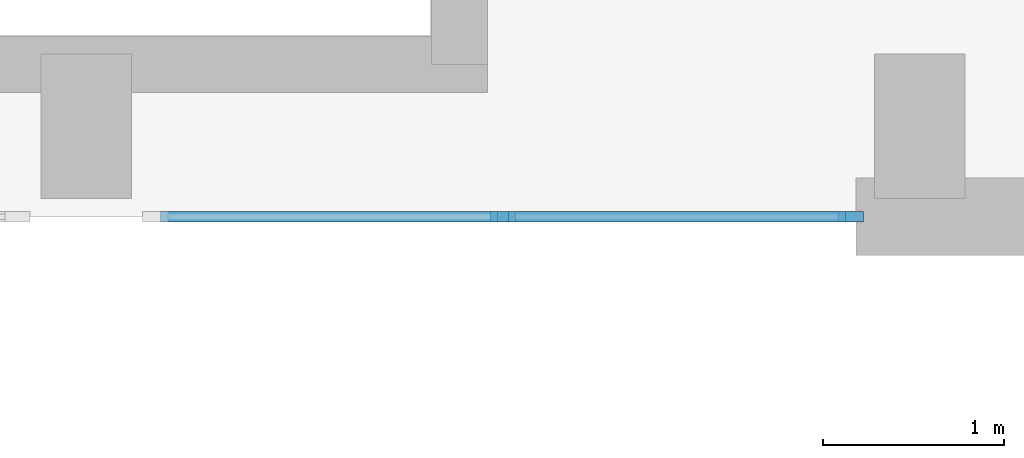
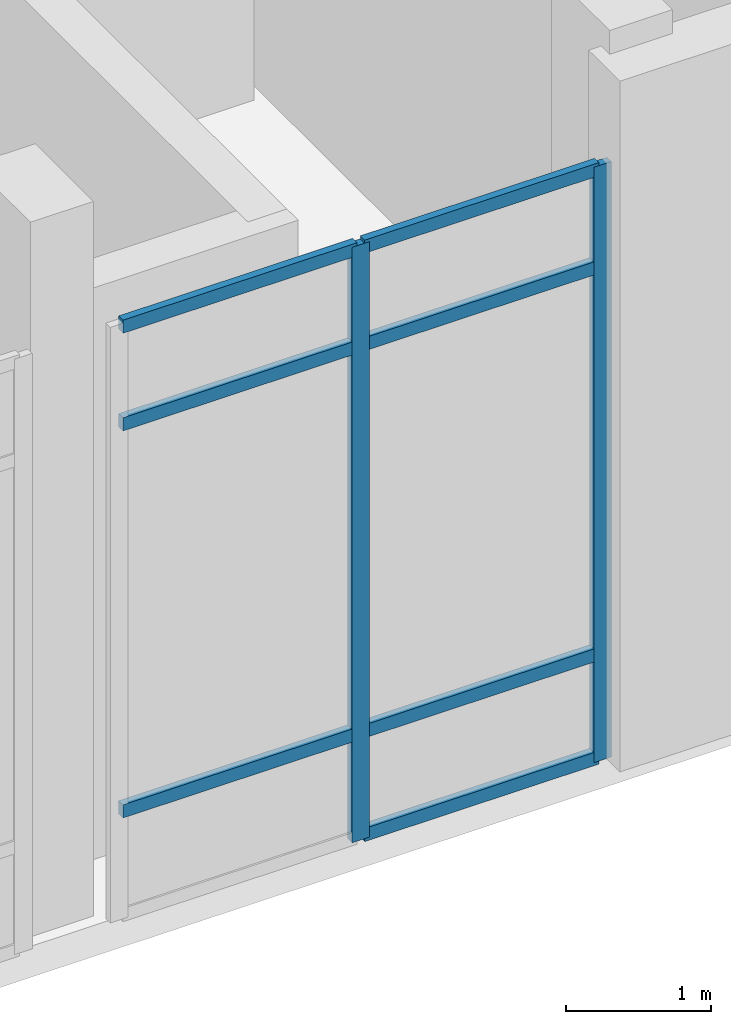
# One storey, part 24 of 54: 9 members, 1 element without a shape of its own.
"""IFC4 building model written with IfcOpenShell, lengths in metres."""

from ifc_helpers import new_model, si_unit, direction, frame, origin, origin_2d, place, context, subcontext, project, spatial, rectangle, extrude, material, layer, layer_set, material_profile, profile_set, type_object, element, aggregate, save


model = new_model("IFC4")

# Units and contexts
model_context = context("Model", 3, precision=1e-05, world=origin(), true_north=direction((0.0, 1.0)))
body_context = subcontext(model_context, "Body", "Model", "MODEL_VIEW")
ifc_project = project(units=[si_unit("LENGTHUNIT", "METRE"), si_unit("AREAUNIT", "SQUARE_METRE"), si_unit("VOLUMEUNIT", "CUBIC_METRE"), si_unit("PLANEANGLEUNIT", "RADIAN"), si_unit("MASSUNIT", "GRAM", prefix="KILO")], contexts=[model_context])

# Site, building, storey
site_placement = place(None, origin())
site = spatial("IfcSite", under=ifc_project, at=site_placement, CompositionType="ELEMENT")
building_placement = place(site_placement, origin())
building = spatial("IfcBuilding", under=site, at=building_placement, Name="Tlacozan Convention Centre", CompositionType="ELEMENT")
storey_placement = place(building_placement, frame((0.0, 0.0, 11.39990234375)))
storey = spatial("IfcBuildingStorey", under=building, at=storey_placement, Name="L02", CompositionType="ELEMENT", Elevation=11.39990234375)

# Curtain wall, members
ifc_material = material(Name="Dark Bronze Anodised Aluminium", Category="aluminium")
ifc_layer = layer(ifc_material, 0.139892578125)
ifc_layer_set = layer_set([ifc_layer], Name="Dark Bronze Anodised Aluminium")
curtain_wall_type = type_object("IfcCurtainWallType", Name="Plenary Foyer L02 Curtain Wall CW12", PredefinedType="NOTDEFINED", material=ifc_layer_set)
curtain_wall_placement = place(storey_placement, origin())
curtain_wall = element("IfcCurtainWall", 1, at=curtain_wall_placement, inside=storey, type_object=curtain_wall_type, Name="L02 CW-12 Run 154", PredefinedType="NOTDEFINED")
ifc_material_profile_1 = material_profile(ifc_material, rectangle(XDim=0.06005859375, YDim=0.139892578125, at=origin_2d()), Name="ALU 60x140")
ifc_profile_set_1 = profile_set([ifc_material_profile_1], Name="Dark Bronze Anodised Aluminium")
member_type_1 = type_object("IfcMemberType", Name="Curtain Wall Light Mullion 60x140", PredefinedType="MULLION", material=ifc_profile_set_1)
member_1_placement = place(storey_placement, frame((175.89990234375, 18.0, 0.0), z_axis=(0.0, 0.0, 1.0), x_axis=(0.0, 1.0, 0.0)))
member_1 = element("IfcMember", 2, at=member_1_placement, type_object=member_type_1, Name="CW-12 mullion 2", PredefinedType="MULLION", context=body_context, shape_type="SweptSolid", body=[
    extrude(rectangle(XDim=0.06005859375, YDim=0.139892578125, at=origin_2d()), origin(), (0.0, 0.0, 1.0), 5.0),
])
member_2_placement = place(storey_placement, frame((177.820068359375, 18.0, 0.0), z_axis=(0.0, 0.0, 1.0), x_axis=(0.0, 1.0, 0.0)))
member_2 = element("IfcMember", 3, at=member_2_placement, type_object=member_type_1, Name="CW-12 mullion 3", PredefinedType="MULLION", context=body_context, shape_type="SweptSolid", body=[
    extrude(rectangle(XDim=0.06005859375, YDim=0.139892578125, at=origin_2d()), origin(), (0.0, 0.0, 1.0), 5.0),
])
ifc_material_profile_2 = material_profile(ifc_material, rectangle(XDim=0.06005859375, YDim=0.110107421875, at=origin_2d()), Name="ALU 60x110")
ifc_profile_set_2 = profile_set([ifc_material_profile_2], Name="Dark Bronze Anodised Aluminium")
member_type_2 = type_object("IfcMemberType", Name="Curtain Wall Light Transom 60x110", PredefinedType="USERDEFINED", material=ifc_profile_set_2)
member_3_placement = place(storey_placement, frame((174.010009765625, 18.0, 0.900146484375), z_axis=(1.0, 0.0, 0.0), x_axis=(0.0, 1.0, 0.0)))
member_3 = element("IfcMember", 4, at=member_3_placement, type_object=member_type_2, Name="CW-12 transom 1.2", ObjectType="TRANSOM", PredefinedType="USERDEFINED", context=body_context, shape_type="SweptSolid", body=[
    extrude(rectangle(XDim=0.06005859375, YDim=0.110107421875, at=origin_2d()), origin(), (0.0, 0.0, 1.0), 1.860107421875),
])
member_4_placement = place(storey_placement, frame((174.010009765625, 18.0, 4.150146484375), z_axis=(1.0, 0.0, 0.0), x_axis=(0.0, 1.0, 0.0)))
member_4 = element("IfcMember", 5, at=member_4_placement, type_object=member_type_2, Name="CW-12 transom 1.3", ObjectType="TRANSOM", PredefinedType="USERDEFINED", context=body_context, shape_type="SweptSolid", body=[
    extrude(rectangle(XDim=0.06005859375, YDim=0.110107421875, at=origin_2d()), origin(), (0.0, 0.0, 1.0), 1.860107421875),
])
member_5_placement = place(storey_placement, frame((174.010009765625, 18.0, 4.97021484375), z_axis=(1.0, 0.0, 0.0), x_axis=(0.0, 1.0, 0.0)))
member_5 = element("IfcMember", 6, at=member_5_placement, type_object=member_type_2, Name="CW-12 transom 1.4", ObjectType="TRANSOM", PredefinedType="USERDEFINED", context=body_context, shape_type="SweptSolid", body=[
    extrude(rectangle(XDim=0.06005859375, YDim=0.110107421875, at=origin_2d()), origin(), (0.0, 0.0, 1.0), 1.860107421875),
])
member_6_placement = place(storey_placement, frame((175.929931640625, 18.0, 0.030029296875), z_axis=(1.0, 0.0, 0.0), x_axis=(0.0, 1.0, 0.0)))
member_6 = element("IfcMember", 7, at=member_6_placement, type_object=member_type_2, Name="CW-12 transom 2.1", ObjectType="TRANSOM", PredefinedType="USERDEFINED", context=body_context, shape_type="SweptSolid", body=[
    extrude(rectangle(XDim=0.06005859375, YDim=0.110107421875, at=origin_2d()), origin(), (0.0, 0.0, 1.0), 1.860107421875),
])
member_7_placement = place(storey_placement, frame((175.929931640625, 18.0, 0.900146484375), z_axis=(1.0, 0.0, 0.0), x_axis=(0.0, 1.0, 0.0)))
member_7 = element("IfcMember", 8, at=member_7_placement, type_object=member_type_2, Name="CW-12 transom 2.2", ObjectType="TRANSOM", PredefinedType="USERDEFINED", context=body_context, shape_type="SweptSolid", body=[
    extrude(rectangle(XDim=0.06005859375, YDim=0.110107421875, at=origin_2d()), origin(), (0.0, 0.0, 1.0), 1.860107421875),
])
member_8_placement = place(storey_placement, frame((175.929931640625, 18.0, 4.150146484375), z_axis=(1.0, 0.0, 0.0), x_axis=(0.0, 1.0, 0.0)))
member_8 = element("IfcMember", 9, at=member_8_placement, type_object=member_type_2, Name="CW-12 transom 2.3", ObjectType="TRANSOM", PredefinedType="USERDEFINED", context=body_context, shape_type="SweptSolid", body=[
    extrude(rectangle(XDim=0.06005859375, YDim=0.110107421875, at=origin_2d()), origin(), (0.0, 0.0, 1.0), 1.860107421875),
])
member_9_placement = place(storey_placement, frame((175.929931640625, 18.0, 4.97021484375), z_axis=(1.0, 0.0, 0.0), x_axis=(0.0, 1.0, 0.0)))
member_9 = element("IfcMember", 10, at=member_9_placement, type_object=member_type_2, Name="CW-12 transom 2.4", ObjectType="TRANSOM", PredefinedType="USERDEFINED", context=body_context, shape_type="SweptSolid", body=[
    extrude(rectangle(XDim=0.06005859375, YDim=0.110107421875, at=origin_2d()), origin(), (0.0, 0.0, 1.0), 1.860107421875),
])
aggregate(curtain_wall, [member_1, member_2, member_3, member_4, member_5, member_6, member_7, member_8, member_9])

save(model, "model.ifc")
